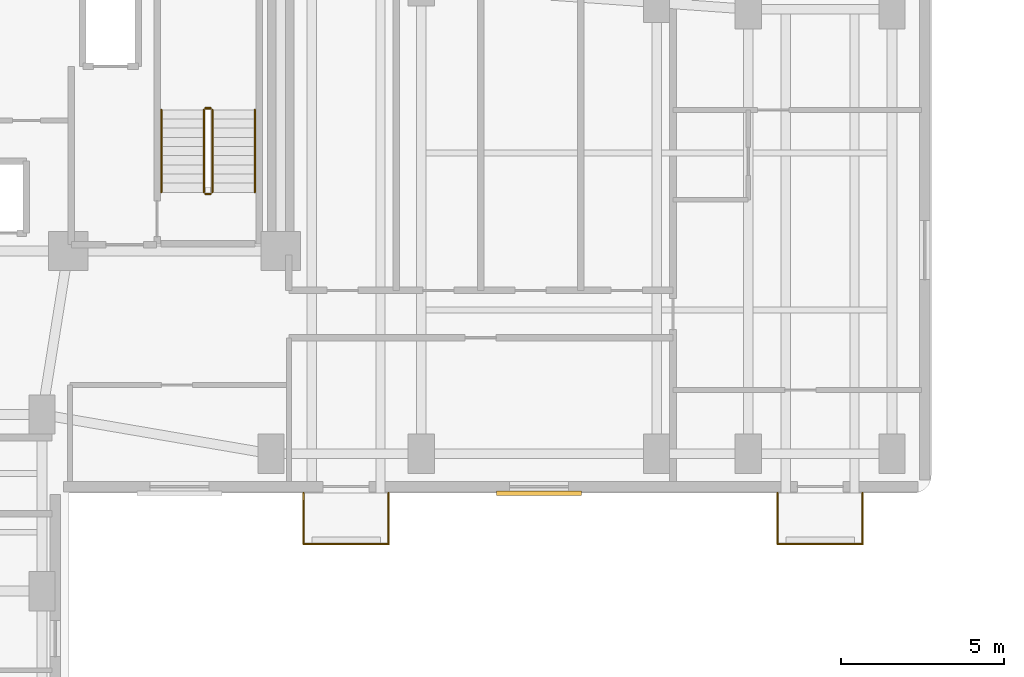
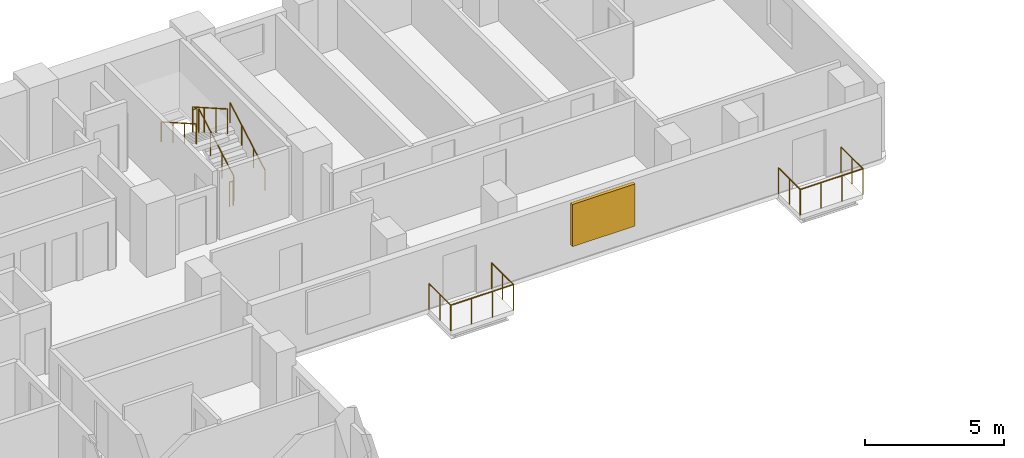
# One storey, part 9 of 10: 12 railings, 1 shading device.
"""IFC4 building model written with IfcOpenShell, lengths in metres."""

from ifc_helpers import new_model, si_unit, direction, frame, origin, origin_2d, place, context, subcontext, project, spatial, rectangle, circle, extrude, material, layer, layer_set, type_object, element, save


model = new_model("IFC4")

# Units and contexts
model_context = context("Model", 3, precision=1e-05, world=origin(), true_north=direction((0.0, 1.0)))
body_context = subcontext(model_context, "Body", "Model", "MODEL_VIEW")
ifc_project = project(units=[si_unit("LENGTHUNIT", "METRE"), si_unit("AREAUNIT", "SQUARE_METRE"), si_unit("VOLUMEUNIT", "CUBIC_METRE"), si_unit("PLANEANGLEUNIT", "RADIAN"), si_unit("MASSUNIT", "GRAM", prefix="KILO")], contexts=[model_context])

# Site, building, storey
site_placement = place(None, origin())
site = spatial("IfcSite", under=ifc_project, at=site_placement, CompositionType="ELEMENT")
building_placement = place(site_placement, origin())
building = spatial("IfcBuilding", under=site, at=building_placement, Name="Kuzgunbayir Cultural Tower", CompositionType="ELEMENT")
storey_placement = place(building_placement, frame((0.0, 0.0, 93.0)))
storey = spatial("IfcBuildingStorey", under=building, at=storey_placement, Name="L26", CompositionType="ELEMENT", Elevation=93.0)

# Railings
ifc_material_1 = material(Name="Laminated Glass and Stainless Steel", Category="steel")
ifc_layer_1 = layer(ifc_material_1, 0.080078125)
ifc_layer_set_1 = layer_set([ifc_layer_1], Name="Laminated Glass and Stainless Steel")
railing_type_1 = type_object("IfcRailingType", Name="RLG-BAL-115", PredefinedType="BALUSTRADE", material=ifc_layer_set_1)
railing_1_placement = place(storey_placement, frame((27.60009765625, 26.39990234375, 0.0)))
element("IfcRailing", 1, at=railing_1_placement, inside=storey, type_object=railing_type_1, Name="L26 Balcony Guard BAL-L26-WB1 Segment 1", PredefinedType="BALUSTRADE", context=body_context, shape_type="SweptSolid", body=[
    extrude(circle(Radius=0.02392578125, at=origin_2d()), frame((0.0, 0.0, 1.1259765625), z_axis=(0.0, -1.0, 0.0), x_axis=(1.0, 0.0, 0.0)), (0.0, 0.0, 1.0), 1.559814453125),
    extrude(circle(Radius=0.02099609375, at=origin_2d()), origin(), (0.0, 0.0, 1.0), 1.101806640625),
    extrude(circle(Radius=0.02099609375, at=origin_2d()), frame((0.0, -0.77978515625, 0.0)), (0.0, 0.0, 1.0), 1.101806640625),
    extrude(circle(Radius=0.02099609375, at=origin_2d()), frame((0.0, -1.559814453125, 0.0)), (0.0, 0.0, 1.0), 1.101806640625),
])
railing_2_placement = place(storey_placement, frame((27.60009765625, 24.840087890625, 0.0)))
element("IfcRailing", 2, at=railing_2_placement, inside=storey, type_object=railing_type_1, Name="L26 Balcony Guard BAL-L26-WB1 Segment 2", PredefinedType="BALUSTRADE", context=body_context, shape_type="SweptSolid", body=[
    extrude(circle(Radius=0.02392578125, at=origin_2d()), frame((0.0, 0.0, 1.1259765625), z_axis=(1.0, 0.0, 0.0), x_axis=(0.0, 1.0, 0.0)), (0.0, 0.0, 1.0), 2.599853515625),
    extrude(circle(Radius=0.02099609375, at=origin_2d()), origin(), (0.0, 0.0, 1.0), 1.101806640625),
    extrude(circle(Radius=0.02099609375, at=origin_2d()), frame((0.86669921875, 0.0, 0.0)), (0.0, 0.0, 1.0), 1.101806640625),
    extrude(circle(Radius=0.02099609375, at=origin_2d()), frame((1.733154296875, 0.0, 0.0)), (0.0, 0.0, 1.0), 1.101806640625),
    extrude(circle(Radius=0.02099609375, at=origin_2d()), frame((2.599853515625, 0.0, 0.0)), (0.0, 0.0, 1.0), 1.101806640625),
])
railing_3_placement = place(storey_placement, frame((30.199951171875, 24.840087890625, 0.0)))
element("IfcRailing", 3, at=railing_3_placement, inside=storey, type_object=railing_type_1, Name="L26 Balcony Guard BAL-L26-WB1 Segment 3", PredefinedType="BALUSTRADE", context=body_context, shape_type="SweptSolid", body=[
    extrude(circle(Radius=0.02392578125, at=origin_2d()), frame((0.0, 0.0, 1.1259765625), z_axis=(0.0, 1.0, 0.0), x_axis=(-1.0, 0.0, 0.0)), (0.0, 0.0, 1.0), 1.559814453125),
    extrude(circle(Radius=0.02099609375, at=origin_2d()), origin(), (0.0, 0.0, 1.0), 1.101806640625),
    extrude(circle(Radius=0.02099609375, at=origin_2d()), frame((0.0, 0.77978515625, 0.0)), (0.0, 0.0, 1.0), 1.101806640625),
    extrude(circle(Radius=0.02099609375, at=origin_2d()), frame((0.0, 1.559814453125, 0.0)), (0.0, 0.0, 1.0), 1.101806640625),
])
railing_4_placement = place(storey_placement, frame((42.10009765625, 26.39990234375, 0.0)))
element("IfcRailing", 4, at=railing_4_placement, inside=storey, type_object=railing_type_1, Name="L26 Balcony Guard BAL-L26-WB3 Segment 1", PredefinedType="BALUSTRADE", context=body_context, shape_type="SweptSolid", body=[
    extrude(circle(Radius=0.02392578125, at=origin_2d()), frame((0.0, 0.0, 1.1259765625), z_axis=(0.0, -1.0, 0.0), x_axis=(1.0, 0.0, 0.0)), (0.0, 0.0, 1.0), 1.559814453125),
    extrude(circle(Radius=0.02099609375, at=origin_2d()), origin(), (0.0, 0.0, 1.0), 1.101806640625),
    extrude(circle(Radius=0.02099609375, at=origin_2d()), frame((0.0, -0.77978515625, 0.0)), (0.0, 0.0, 1.0), 1.101806640625),
    extrude(circle(Radius=0.02099609375, at=origin_2d()), frame((0.0, -1.559814453125, 0.0)), (0.0, 0.0, 1.0), 1.101806640625),
])
railing_5_placement = place(storey_placement, frame((42.10009765625, 24.840087890625, 0.0)))
element("IfcRailing", 5, at=railing_5_placement, inside=storey, type_object=railing_type_1, Name="L26 Balcony Guard BAL-L26-WB3 Segment 2", PredefinedType="BALUSTRADE", context=body_context, shape_type="SweptSolid", body=[
    extrude(circle(Radius=0.02392578125, at=origin_2d()), frame((0.0, 0.0, 1.1259765625), z_axis=(1.0, 0.0, 0.0), x_axis=(0.0, 1.0, 0.0)), (0.0, 0.0, 1.0), 2.599853515625),
    extrude(circle(Radius=0.02099609375, at=origin_2d()), origin(), (0.0, 0.0, 1.0), 1.101806640625),
    extrude(circle(Radius=0.02099609375, at=origin_2d()), frame((0.86669921875, 0.0, 0.0)), (0.0, 0.0, 1.0), 1.101806640625),
    extrude(circle(Radius=0.02099609375, at=origin_2d()), frame((1.733154296875, 0.0, 0.0)), (0.0, 0.0, 1.0), 1.101806640625),
    extrude(circle(Radius=0.02099609375, at=origin_2d()), frame((2.599853515625, 0.0, 0.0)), (0.0, 0.0, 1.0), 1.101806640625),
])
railing_6_placement = place(storey_placement, frame((44.699951171875, 24.840087890625, 0.0)))
element("IfcRailing", 6, at=railing_6_placement, inside=storey, type_object=railing_type_1, Name="L26 Balcony Guard BAL-L26-WB3 Segment 3", PredefinedType="BALUSTRADE", context=body_context, shape_type="SweptSolid", body=[
    extrude(circle(Radius=0.02392578125, at=origin_2d()), frame((0.0, 0.0, 1.1259765625), z_axis=(0.0, 1.0, 0.0), x_axis=(-1.0, 0.0, 0.0)), (0.0, 0.0, 1.0), 1.559814453125),
    extrude(circle(Radius=0.02099609375, at=origin_2d()), origin(), (0.0, 0.0, 1.0), 1.101806640625),
    extrude(circle(Radius=0.02099609375, at=origin_2d()), frame((0.0, 0.77978515625, 0.0)), (0.0, 0.0, 1.0), 1.101806640625),
    extrude(circle(Radius=0.02099609375, at=origin_2d()), frame((0.0, 1.559814453125, 0.0)), (0.0, 0.0, 1.0), 1.101806640625),
])
ifc_material_2 = material(Name="Brushed Stainless Steel", Category="steel")
ifc_layer_2 = layer(ifc_material_2, 0.050048828125)
ifc_layer_set_2 = layer_set([ifc_layer_2], Name="Brushed Stainless Steel")
railing_type_2 = type_object("IfcRailingType", Name="RLG-STAIR-HANDRAIL", PredefinedType="HANDRAIL", material=ifc_layer_set_2)
railing_7_placement = place(storey_placement, frame((26.110107421875, 35.60009765625, 0.159912109375)))
element("IfcRailing", 7, at=railing_7_placement, inside=storey, type_object=railing_type_2, Name="L26 ST-2 stair handrail 1", PredefinedType="HANDRAIL", context=body_context, shape_type="SweptSolid", body=[
    extrude(circle(Radius=0.02392578125, at=origin_2d()), frame((0.0, 0.0, 0.8759765625), z_axis=(0.0, 0.868217259934, 0.496184229447), x_axis=(-1.0, 0.0, 0.0)), (0.0, 0.0, 1.0), 2.902587890625),
    extrude(circle(Radius=0.02099609375, at=origin_2d()), origin(), (0.0, 0.0, 1.0), 0.851806640625),
    extrude(circle(Radius=0.02099609375, at=origin_2d()), frame((0.0, 0.840087890625, 0.47998046875)), (0.0, 0.0, 1.0), 0.851806640625),
    extrude(circle(Radius=0.02099609375, at=origin_2d()), frame((0.0, 1.679931640625, 0.960205078125)), (0.0, 0.0, 1.0), 0.851806640625),
    extrude(circle(Radius=0.02099609375, at=origin_2d()), frame((0.0, 2.52001953125, 1.440185546875)), (0.0, 0.0, 1.0), 0.851806640625),
])
railing_8_placement = place(storey_placement, frame((23.25, 38.1201171875, 1.760009765625)))
element("IfcRailing", 8, at=railing_8_placement, inside=storey, type_object=railing_type_2, Name="L26 ST-2 stair handrail 2", PredefinedType="HANDRAIL", context=body_context, shape_type="SweptSolid", body=[
    extrude(circle(Radius=0.02392578125, at=origin_2d()), frame((0.0, 0.0, 0.8759765625), z_axis=(0.0, -0.868253494771, 0.496120820787), x_axis=(1.0, 0.0, 0.0)), (0.0, 0.0, 1.0), 2.90234375),
    extrude(circle(Radius=0.02099609375, at=origin_2d()), origin(), (0.0, 0.0, 1.0), 0.851806640625),
    extrude(circle(Radius=0.02099609375, at=origin_2d()), frame((0.0, -0.840087890625, 0.47998046875)), (0.0, 0.0, 1.0), 0.851806640625),
    extrude(circle(Radius=0.02099609375, at=origin_2d()), frame((0.0, -1.679931640625, 0.9599609375)), (0.0, 0.0, 1.0), 0.851806640625),
    extrude(circle(Radius=0.02099609375, at=origin_2d()), frame((0.0, -2.52001953125, 1.43994140625)), (0.0, 0.0, 1.0), 0.851806640625),
])
ifc_material_3 = material(Name="Painted Steel Balustrade", Category="steel")
ifc_layer_3 = layer(ifc_material_3, 0.06005859375)
ifc_layer_set_3 = layer_set([ifc_layer_3], Name="Painted Steel Balustrade")
railing_type_3 = type_object("IfcRailingType", Name="RLG-WELL-GUARD", PredefinedType="GUARDRAIL", material=ifc_layer_set_3)
railing_9_placement = place(storey_placement, frame((24.81005859375, 35.60009765625, 0.159912109375)))
element("IfcRailing", 9, at=railing_9_placement, inside=storey, type_object=railing_type_3, Name="L26 ST-2 stair guard 1", PredefinedType="GUARDRAIL", context=body_context, shape_type="SweptSolid", body=[
    extrude(circle(Radius=0.02392578125, at=origin_2d()), frame((0.0, 0.0, 1.076171875), z_axis=(0.0, 0.868217259934, 0.496184229447), x_axis=(-1.0, 0.0, 0.0)), (0.0, 0.0, 1.0), 2.902587890625),
    extrude(circle(Radius=0.02099609375, at=origin_2d()), origin(), (0.0, 0.0, 1.0), 1.052001953125),
    extrude(circle(Radius=0.02099609375, at=origin_2d()), frame((0.0, 0.840087890625, 0.47998046875)), (0.0, 0.0, 1.0), 1.052001953125),
    extrude(circle(Radius=0.02099609375, at=origin_2d()), frame((0.0, 1.679931640625, 0.960205078125)), (0.0, 0.0, 1.0), 1.052001953125),
    extrude(circle(Radius=0.02099609375, at=origin_2d()), frame((0.0, 2.52001953125, 1.440185546875)), (0.0, 0.0, 1.0), 1.052001953125),
])
railing_10_placement = place(storey_placement, frame((24.760009765625, 38.169921875, 1.60009765625)))
element("IfcRailing", 10, at=railing_10_placement, inside=storey, type_object=railing_type_3, Name="L26 ST-2 stair guard 2", PredefinedType="GUARDRAIL", context=body_context, shape_type="SweptSolid", body=[
    extrude(circle(Radius=0.02392578125, at=origin_2d()), frame((0.0, 0.0, 1.076171875), z_axis=(-1.0, 0.0, 0.0), x_axis=(0.0, -1.0, 0.0)), (0.0, 0.0, 1.0), 0.159912109375),
    extrude(circle(Radius=0.02099609375, at=origin_2d()), origin(), (0.0, 0.0, 1.0), 1.052001953125),
    extrude(circle(Radius=0.02099609375, at=origin_2d()), frame((-0.159912109375, 0.0, 0.0)), (0.0, 0.0, 1.0), 1.052001953125),
])
railing_11_placement = place(storey_placement, frame((24.550048828125, 38.1201171875, 1.760009765625)))
element("IfcRailing", 11, at=railing_11_placement, inside=storey, type_object=railing_type_3, Name="L26 ST-2 stair guard 3", PredefinedType="GUARDRAIL", context=body_context, shape_type="SweptSolid", body=[
    extrude(circle(Radius=0.02392578125, at=origin_2d()), frame((0.0, 0.0, 1.076171875), z_axis=(0.0, -0.868253494771, 0.496120820787), x_axis=(1.0, 0.0, 0.0)), (0.0, 0.0, 1.0), 2.90234375),
    extrude(circle(Radius=0.02099609375, at=origin_2d()), origin(), (0.0, 0.0, 1.0), 1.052001953125),
    extrude(circle(Radius=0.02099609375, at=origin_2d()), frame((0.0, -0.840087890625, 0.47998046875)), (0.0, 0.0, 1.0), 1.052001953125),
    extrude(circle(Radius=0.02099609375, at=origin_2d()), frame((0.0, -1.679931640625, 0.9599609375)), (0.0, 0.0, 1.0), 1.052001953125),
    extrude(circle(Radius=0.02099609375, at=origin_2d()), frame((0.0, -2.52001953125, 1.43994140625)), (0.0, 0.0, 1.0), 1.052001953125),
])
railing_12_placement = place(storey_placement, frame((24.760009765625, 35.550048828125, 0.0)))
element("IfcRailing", 12, at=railing_12_placement, inside=storey, type_object=railing_type_3, Name="L26 ST-2 stair guard 4", PredefinedType="GUARDRAIL", context=body_context, shape_type="SweptSolid", body=[
    extrude(circle(Radius=0.02392578125, at=origin_2d()), frame((0.0, 0.0, 1.076171875), z_axis=(-1.0, 0.0, 0.0), x_axis=(0.0, -1.0, 0.0)), (0.0, 0.0, 1.0), 0.159912109375),
    extrude(circle(Radius=0.02099609375, at=origin_2d()), origin(), (0.0, 0.0, 1.0), 1.052001953125),
    extrude(circle(Radius=0.02099609375, at=origin_2d()), frame((-0.159912109375, 0.0, 0.0)), (0.0, 0.0, 1.0), 1.052001953125),
])

# Shading device
ifc_material_4 = material(Name="Perforated Bronze-Anodised Aluminium", Category="aluminium")
shading_device_type = type_object("IfcShadingDeviceType", Name="SHD-SOLAR-BRONZE", PredefinedType="JALOUSIE", material=ifc_material_4)
shading_device_placement = place(storey_placement, frame((34.800048828125, 26.389892578125, 0.724853515625), z_axis=(0.0, 0.0, 1.0), x_axis=(1.0, 0.0, 0.0)))
element("IfcShadingDevice", 13, at=shading_device_placement, inside=storey, type_object=shading_device_type, Name="L26 Solar Screen WBS16", PredefinedType="JALOUSIE", context=body_context, shape_type="SweptSolid", body=[
    extrude(rectangle(XDim=2.60009765625, YDim=0.139892578125, at=origin_2d()), origin(), (0.0, 0.0, 1.0), 1.85009765625),
])

save(model, "model.ifc")
